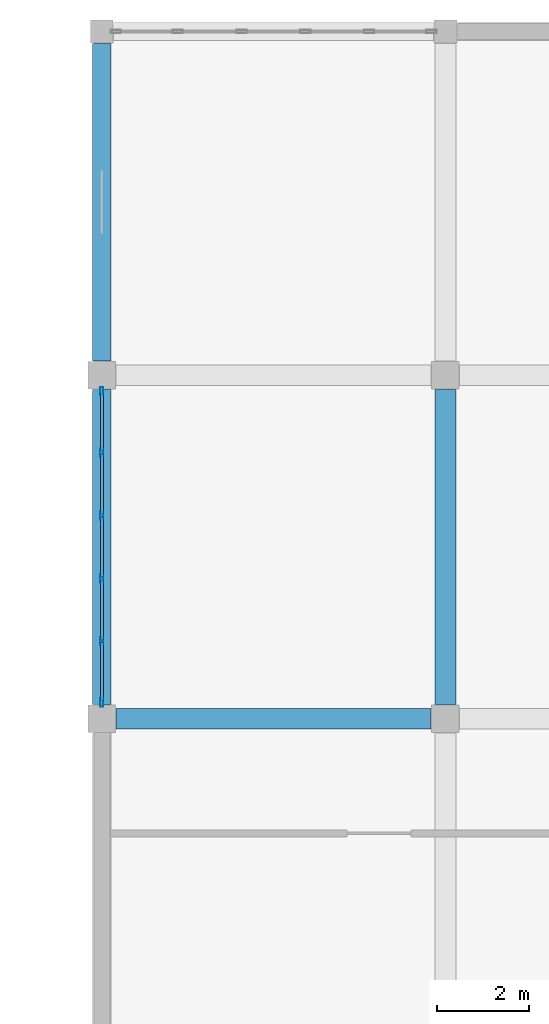
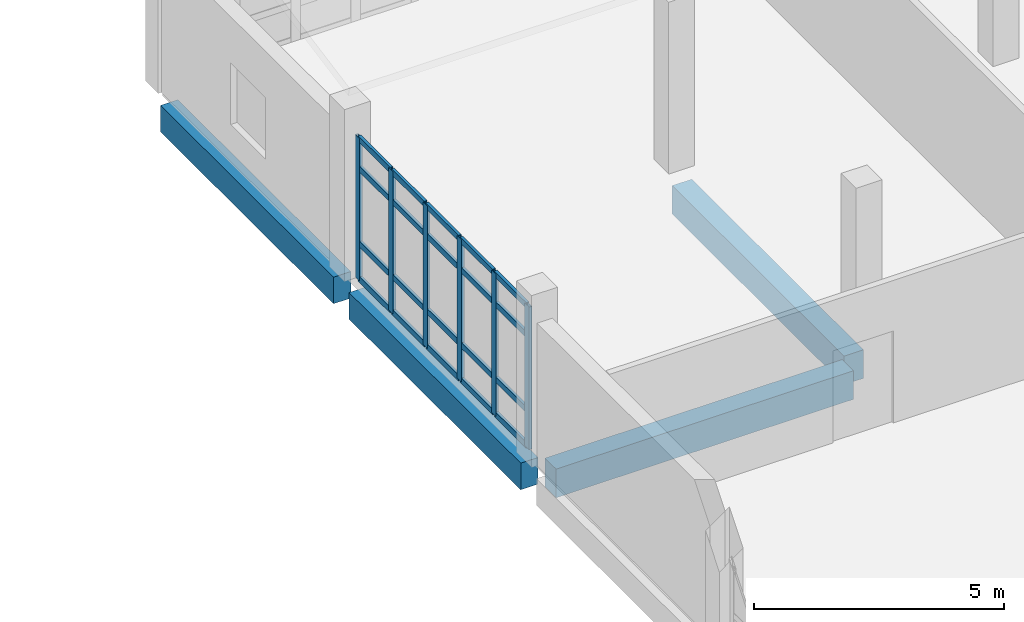
# One storey, part 77 of 164: 26 members, 4 beams, 1 element without a shape of its own.
"""IFC4 building model written with IfcOpenShell, lengths in metres."""

import ifcopenshell
import ifcopenshell.guid

model = None  # the IFC model being written
_history = None  # IfcOwnerHistory: only IFC2X3 demands one
_inside = {}  # id of a spatial element -> (the spatial element, [elements in it])
_under = {}  # id of a project, library or spatial element -> (it, [spatial elements below it])
_declared = {}  # id of a project -> (the project, [libraries it declares])
_typed = {}  # id of a type object -> (the type object, [elements of that type])
_made_of = {}  # id of a material, layer set ... -> (it, [elements and type objects made of it])


def new_model(schema):
    """Start an empty IFC model of exactly this schema.

    Asked for "IFC4X3", IfcOpenShell would pick the latest addendum, in which some entities
    have other attributes; the version numbers below select the first issue.
    IFC2X3 requires an IfcOwnerHistory on every rooted entity: one is made here for all.
    """
    global model, _history
    if schema == "IFC4X3":
        model = ifcopenshell.file(schema_version=(4, 3, 0, 0))
    else:
        model = ifcopenshell.file(schema=schema)
    _inside.clear()
    _under.clear()
    _declared.clear()
    _typed.clear()
    _made_of.clear()
    _history = None
    if model.schema == "IFC2X3":
        org = make("IfcOrganization", Name="unknown")
        user = make(
            "IfcPersonAndOrganization",
            ThePerson=make("IfcPerson", FamilyName="unknown"),
            TheOrganization=org,
        )
        app = make(
            "IfcApplication",
            ApplicationDeveloper=org,
            Version="unknown",
            ApplicationFullName="unknown",
            ApplicationIdentifier="unknown",
        )
        _history = make(
            "IfcOwnerHistory",
            OwningUser=user,
            OwningApplication=app,
            ChangeAction="ADDED",
            CreationDate=0,
        )
    return model


def make(cls, **values):
    """One entity of the class cls with the attributes given. An attribute that is None is left unset."""
    return model.create_entity(
        cls, **{name: value for name, value in values.items() if value is not None}
    )


def rooted(cls, **values):
    """An entity with a GlobalId (a new one), such as an element, a storey or a relation."""
    return make(cls, GlobalId=ifcopenshell.guid.new(), OwnerHistory=_history, **values)


def si_unit(unit_type, name, prefix=None):
    """IfcSIUnit, for example si_unit("LENGTHUNIT", "METRE", prefix="MILLI")."""
    return make("IfcSIUnit", UnitType=unit_type, Prefix=prefix, Name=name)


def assignment(units):
    """IfcUnitAssignment: the units of a project."""
    return None if units is None else make("IfcUnitAssignment", Units=units)


def point(xyz):
    """IfcCartesianPoint."""
    return None if xyz is None else make("IfcCartesianPoint", Coordinates=xyz)


def direction(xyz):
    """IfcDirection."""
    return None if xyz is None else make("IfcDirection", DirectionRatios=xyz)


def frame(location, z_axis=None, x_axis=None):
    """IfcAxis2Placement3D, a coordinate frame: its origin and axes. An axis left out is left unset."""
    return make(
        "IfcAxis2Placement3D",
        Location=point(location),
        Axis=direction(z_axis),
        RefDirection=direction(x_axis),
    )


def frame_2d(location, x_axis=None):
    """IfcAxis2Placement2D, a coordinate frame in the plane: its origin and x axis."""
    return make(
        "IfcAxis2Placement2D", Location=point(location), RefDirection=direction(x_axis)
    )


def origin():
    """The frame at (0, 0, 0) with its axes left unset."""
    return frame((0.0, 0.0, 0.0))


def origin_2d():
    """The frame at (0, 0) in the plane with its x axis left unset."""
    return frame_2d((0.0, 0.0))


def place(relative_to, where):
    """IfcLocalPlacement: puts the frame where relative to a parent placement (None: the world)."""
    return make(
        "IfcLocalPlacement", PlacementRelTo=relative_to, RelativePlacement=where
    )


def context(
    kind, dimensions, precision=None, world=None, true_north=None, identifier=None
):
    """IfcGeometricRepresentationContext, for example the 3D "Model" context."""
    return make(
        "IfcGeometricRepresentationContext",
        ContextIdentifier=identifier,
        ContextType=kind,
        CoordinateSpaceDimension=dimensions,
        Precision=precision,
        WorldCoordinateSystem=world,
        TrueNorth=true_north,
    )


def subcontext(parent, identifier, kind, view, scale=None):
    """IfcGeometricRepresentationSubContext, for example "Body" below "Model"."""
    return make(
        "IfcGeometricRepresentationSubContext",
        ContextIdentifier=identifier,
        ContextType=kind,
        ParentContext=parent,
        TargetScale=scale,
        TargetView=view,
    )


def project(units=None, contexts=None):
    """IfcProject with its units and contexts."""
    return rooted(
        "IfcProject",
        Name="project",
        RepresentationContexts=contexts,
        UnitsInContext=assignment(units),
    )


def spatial(cls, under=None, at=None, **own):
    """A site, building, storey or space (cls), placed at a placement, below another one or the project."""
    s = rooted(cls, ObjectPlacement=at, **own)
    if under is not None:
        _under.setdefault(under.id(), (under, []))[1].append(s)
    return s


def profile(cls, at=None, kind="AREA", **sizes):
    """A parametric profile (cls). Its sizes go by their IFC names, for example OverallWidth=200.0."""
    return make(cls, ProfileType=kind, Position=at, **sizes)


def rectangle(**sizes):
    """IfcRectangleProfileDef."""
    return profile("IfcRectangleProfileDef", **sizes)


def hollow_rectangle(**sizes):
    """IfcRectangleHollowProfileDef."""
    return profile("IfcRectangleHollowProfileDef", **sizes)


def extrude(swept, where, along, depth):
    """IfcExtrudedAreaSolid: the profile swept, set in the frame where, extruded along a direction by depth."""
    return make(
        "IfcExtrudedAreaSolid",
        SweptArea=swept,
        Position=where,
        ExtrudedDirection=direction(along),
        Depth=depth,
    )


def shape(context_of_items, identifier, shape_type, items):
    """IfcShapeRepresentation: the items that make up one representation, for example the "Body"."""
    return make(
        "IfcShapeRepresentation",
        ContextOfItems=context_of_items,
        RepresentationIdentifier=identifier,
        RepresentationType=shape_type,
        Items=items,
    )


def material(Name=None, Category=None):
    """IfcMaterial."""
    return make("IfcMaterial", Name=Name, Category=Category)


def layer(
    of_material, thickness, ventilated=None, Name=None, Category=None, Priority=None
):
    """IfcMaterialLayer: one layer of a wall or slab, of a material (None: an air gap)."""
    return make(
        "IfcMaterialLayer",
        Material=of_material,
        LayerThickness=thickness,
        IsVentilated=ventilated,
        Name=Name,
        Category=Category,
        Priority=Priority,
    )


def layer_set(layers, Name=None):
    """IfcMaterialLayerSet."""
    return make("IfcMaterialLayerSet", MaterialLayers=layers, LayerSetName=Name)


def material_profile(
    of_material, cross_section, Name=None, Category=None, Priority=None
):
    """IfcMaterialProfile: a cross section and its material."""
    return make(
        "IfcMaterialProfile",
        Name=Name,
        Material=of_material,
        Profile=cross_section,
        Priority=Priority,
        Category=Category,
    )


def profile_set(profiles, Name=None, composite=None):
    """IfcMaterialProfileSet."""
    return make(
        "IfcMaterialProfileSet",
        Name=Name,
        MaterialProfiles=profiles,
        CompositeProfile=composite,
    )


def made_of(thing, what):
    """Note that an element or type object is made of a material, layer set ...; save() writes the relation."""
    if what is not None:
        _made_of.setdefault(what.id(), (what, []))[1].append(thing)
    return thing


def type_object(cls, material=None, **own):
    """A type object (cls), such as IfcWallType, which elements share."""
    return made_of(rooted(cls, **own), material)


def element(
    cls,
    number,
    at=None,
    inside=None,
    cuts=None,
    type_object=None,
    material=None,
    context=None,
    identifier="Body",
    shape_type=None,
    held_by="IfcProductDefinitionShape",
    body=None,
    shapes=None,
    **own,
):
    """One element of the class cls, such as IfcWall. Its Tag is "e" and its number.

    at: its placement. inside: the storey or other place that contains it. cuts: it is an
    opening in that element (IfcRelVoidsElement). A single representation is given by context,
    identifier, shape_type and body (its items); several are given by shapes. held_by: the class
    of the entity that holds the representations. save() writes the other relations.
    """
    e = rooted(cls, Tag="e%d" % number, ObjectPlacement=at, **own)
    if body is not None:
        shapes = [shape(context, identifier, shape_type, body)]
    if shapes is not None:
        e.Representation = make(held_by, Representations=shapes)
    if inside is not None:
        _inside.setdefault(inside.id(), (inside, []))[1].append(e)
    if cuts is not None:
        rooted(
            "IfcRelVoidsElement", RelatingBuildingElement=cuts, RelatedOpeningElement=e
        )
    if type_object is not None:
        _typed.setdefault(type_object.id(), (type_object, []))[1].append(e)
    return made_of(e, material)


def aggregate(whole, parts):
    """IfcRelAggregates: a whole, such as a stair, and the parts it consists of."""
    return rooted("IfcRelAggregates", RelatingObject=whole, RelatedObjects=parts)


def save(model, path):
    """Write the relations noted so far, then the file.

    IfcRelAggregates (storeys below a building ...), IfcRelContainedInSpatialStructure (elements
    in a storey), IfcRelDefinesByType, IfcRelAssociatesMaterial and IfcRelDeclares: one each for
    every whole, place, type object, material and project.
    """
    for whole, parts in _under.values():
        aggregate(whole, parts)
    for where, things in _inside.values():
        rooted(
            "IfcRelContainedInSpatialStructure",
            RelatedElements=things,
            RelatingStructure=where,
        )
    for kind, things in _typed.values():
        rooted("IfcRelDefinesByType", RelatedObjects=things, RelatingType=kind)
    for what, things in _made_of.values():
        rooted("IfcRelAssociatesMaterial", RelatedObjects=things, RelatingMaterial=what)
    for by, libraries in _declared.values():
        rooted("IfcRelDeclares", RelatingContext=by, RelatedDefinitions=libraries)
    model.write(path)


model = new_model("IFC4")

# Units and contexts
model_context = context("Model", 3, precision=1e-05, world=origin(), true_north=direction((0.0, 1.0)))
body_context = subcontext(model_context, "Body", "Model", "MODEL_VIEW")
ifc_project = project(units=[si_unit("LENGTHUNIT", "METRE"), si_unit("AREAUNIT", "SQUARE_METRE"), si_unit("VOLUMEUNIT", "CUBIC_METRE"), si_unit("PLANEANGLEUNIT", "RADIAN"), si_unit("MASSUNIT", "GRAM", prefix="KILO")], contexts=[model_context])

# Site, building, storey
site_placement = place(None, origin())
site = spatial("IfcSite", under=ifc_project, at=site_placement, CompositionType="ELEMENT")
building_placement = place(site_placement, origin())
building = spatial("IfcBuilding", under=site, at=building_placement, Name="Mawjan Specialist Oncology Clinic", CompositionType="ELEMENT")
storey_placement = place(building_placement, frame((0.0, 0.0, 5.0)))
storey = spatial("IfcBuildingStorey", under=building, at=storey_placement, Name="L01", CompositionType="ELEMENT", Elevation=5.0)

# Beams
ifc_material_1 = material(Name="Concrete C40/50", Category="concrete")
ifc_material_profile_1 = material_profile(ifc_material_1, rectangle(XDim=0.449951171875, YDim=0.699951171875, at=origin_2d()), Name="RC BM 450x700", Category="concrete")
ifc_profile_set_1 = profile_set([ifc_material_profile_1], Name="Concrete C40/50")
beam_type_1 = type_object("IfcBeamType", Name="BM-450x700", PredefinedType="BEAM", material=ifc_profile_set_1)
for number, where, z_axis, x_axis, name in (
    (1, (45.31005859375, 98.300048828125, -0.64990234375), (1.0, 0.0, 0.0), (0.0, 1.0, 0.0), "L01 Collector Beam BM-L01-0375"),
    (2, (52.5, 98.610107421875, -0.64990234375), (0.0, 1.0, 0.0), (-1.0, 0.0, 0.0), "L01 Collector Beam BM-L01-0486"),
):
    element("IfcBeam", number, at=place(storey_placement, frame(where, z_axis=z_axis, x_axis=x_axis)), inside=storey, type_object=beam_type_1, Name=name, PredefinedType="BEAM", context=body_context, shape_type="SweptSolid", body=[
        extrude(rectangle(XDim=0.449951171875, YDim=0.699951171875, at=origin_2d()), origin(), (0.0, 0.0, 1.0), 6.8798828125),
    ])

# Curtain wall, members
ifc_material_2 = material(Name="Unitised spectrally selective aluminium curtain wall", Category="aluminium")
ifc_layer = layer(ifc_material_2, 0.179931640625, Name="Unitised spectrally selective aluminium curtain wall", Category="aluminium")
ifc_layer_set = layer_set([ifc_layer], Name="Unitised spectrally selective aluminium curtain wall")
curtain_wall_type = type_object("IfcCurtainWallType", Name="CW-60", PredefinedType="NOTDEFINED", material=ifc_layer_set)
curtain_wall_placement = place(storey_placement, origin())
curtain_wall = element("IfcCurtainWall", 3, at=curtain_wall_placement, inside=storey, type_object=curtain_wall_type, Name="L01 Unitised Curtain Wall CW-L01-117", PredefinedType="NOTDEFINED")
ifc_material_3 = material(Name="Thermally broken aluminium 6063-T6", Category="aluminium")
ifc_material_profile_2 = material_profile(ifc_material_3, hollow_rectangle(XDim=0.06494140625, YDim=0.179931640625, WallThickness=0.00390625, at=origin_2d()), Name="ALU MULLION 180x65x4", Category="aluminium")
ifc_profile_set_2 = profile_set([ifc_material_profile_2], Name="Thermally broken aluminium 6063-T6")
member_type_1 = type_object("IfcMemberType", Name="CW-M180", PredefinedType="MULLION", material=ifc_profile_set_2)
member_1_placement = place(storey_placement, frame((45.0, 98.652587890625, 0.0), z_axis=(0.0, 0.0, 1.0), x_axis=(-1.0, 0.0, 0.0)))
member_1 = element("IfcMember", 4, at=member_1_placement, type_object=member_type_1, Name="CW-60 mullion 1", PredefinedType="MULLION", context=body_context, shape_type="SweptSolid", body=[
    extrude(hollow_rectangle(XDim=0.06494140625, YDim=0.179931640625, WallThickness=0.00390625, at=origin_2d()), origin(), (0.0, 0.0, 1.0), 3.485107421875),
])
member_2_placement = place(storey_placement, frame((45.0, 99.991943359375, 0.0), z_axis=(0.0, 0.0, 1.0), x_axis=(-1.0, 0.0, 0.0)))
member_2 = element("IfcMember", 5, at=member_2_placement, type_object=member_type_1, Name="CW-60 mullion 2", PredefinedType="MULLION", context=body_context, shape_type="SweptSolid", body=[
    extrude(hollow_rectangle(XDim=0.06494140625, YDim=0.179931640625, WallThickness=0.00390625, at=origin_2d()), origin(), (0.0, 0.0, 1.0), 3.485107421875),
])
member_3_placement = place(storey_placement, frame((45.0, 101.364013671875, 0.0), z_axis=(0.0, 0.0, 1.0), x_axis=(-1.0, 0.0, 0.0)))
member_3 = element("IfcMember", 6, at=member_3_placement, type_object=member_type_1, Name="CW-60 mullion 3", PredefinedType="MULLION", context=body_context, shape_type="SweptSolid", body=[
    extrude(hollow_rectangle(XDim=0.06494140625, YDim=0.179931640625, WallThickness=0.00390625, at=origin_2d()), origin(), (0.0, 0.0, 1.0), 3.485107421875),
])
member_4_placement = place(storey_placement, frame((45.0, 102.736083984375, 0.0), z_axis=(0.0, 0.0, 1.0), x_axis=(-1.0, 0.0, 0.0)))
member_4 = element("IfcMember", 7, at=member_4_placement, type_object=member_type_1, Name="CW-60 mullion 4", PredefinedType="MULLION", context=body_context, shape_type="SweptSolid", body=[
    extrude(hollow_rectangle(XDim=0.06494140625, YDim=0.179931640625, WallThickness=0.00390625, at=origin_2d()), origin(), (0.0, 0.0, 1.0), 3.485107421875),
])
member_5_placement = place(storey_placement, frame((45.0, 104.10791015625, 0.0), z_axis=(0.0, 0.0, 1.0), x_axis=(-1.0, 0.0, 0.0)))
member_5 = element("IfcMember", 8, at=member_5_placement, type_object=member_type_1, Name="CW-60 mullion 5", PredefinedType="MULLION", context=body_context, shape_type="SweptSolid", body=[
    extrude(hollow_rectangle(XDim=0.06494140625, YDim=0.179931640625, WallThickness=0.00390625, at=origin_2d()), origin(), (0.0, 0.0, 1.0), 3.485107421875),
])
member_6_placement = place(storey_placement, frame((45.0, 105.447509765625, 0.0), z_axis=(0.0, 0.0, 1.0), x_axis=(-1.0, 0.0, 0.0)))
member_6 = element("IfcMember", 9, at=member_6_placement, type_object=member_type_1, Name="CW-60 mullion 6", PredefinedType="MULLION", context=body_context, shape_type="SweptSolid", body=[
    extrude(hollow_rectangle(XDim=0.06494140625, YDim=0.179931640625, WallThickness=0.00390625, at=origin_2d()), origin(), (0.0, 0.0, 1.0), 3.485107421875),
])
ifc_material_4 = material(Name="Thermally broken aluminium 6063-T6", Category="aluminium")
ifc_material_profile_3 = material_profile(ifc_material_4, hollow_rectangle(XDim=0.06494140625, YDim=0.139892578125, WallThickness=0.00390625, at=origin_2d()), Name="ALU TRANSOM 140x65x4", Category="aluminium")
ifc_profile_set_3 = profile_set([ifc_material_profile_3], Name="Thermally broken aluminium 6063-T6")
member_type_2 = type_object("IfcMemberType", Name="CW-T140", PredefinedType="USERDEFINED", material=ifc_profile_set_3)
member_7_placement = place(storey_placement, frame((45.0, 98.68505859375, 0.032470703125), z_axis=(0.0, 1.0, 0.0), x_axis=(-1.0, 0.0, 0.0)))
member_7 = element("IfcMember", 10, at=member_7_placement, type_object=member_type_2, Name="CW-60 transom 1.1", ObjectType="TRANSOM", PredefinedType="USERDEFINED", context=body_context, shape_type="SweptSolid", body=[
    extrude(hollow_rectangle(XDim=0.06494140625, YDim=0.139892578125, WallThickness=0.00390625, at=origin_2d()), origin(), (0.0, 0.0, 1.0), 1.2744140625),
])
member_8_placement = place(storey_placement, frame((45.0, 98.68505859375, 0.89990234375), z_axis=(0.0, 1.0, 0.0), x_axis=(-1.0, 0.0, 0.0)))
member_8 = element("IfcMember", 11, at=member_8_placement, type_object=member_type_2, Name="CW-60 transom 1.2", ObjectType="TRANSOM", PredefinedType="USERDEFINED", context=body_context, shape_type="SweptSolid", body=[
    extrude(hollow_rectangle(XDim=0.06494140625, YDim=0.139892578125, WallThickness=0.00390625, at=origin_2d()), origin(), (0.0, 0.0, 1.0), 1.2744140625),
])
member_9_placement = place(storey_placement, frame((45.0, 98.68505859375, 2.735107421875), z_axis=(0.0, 1.0, 0.0), x_axis=(-1.0, 0.0, 0.0)))
member_9 = element("IfcMember", 12, at=member_9_placement, type_object=member_type_2, Name="CW-60 transom 1.3", ObjectType="TRANSOM", PredefinedType="USERDEFINED", context=body_context, shape_type="SweptSolid", body=[
    extrude(hollow_rectangle(XDim=0.06494140625, YDim=0.139892578125, WallThickness=0.00390625, at=origin_2d()), origin(), (0.0, 0.0, 1.0), 1.2744140625),
])
member_10_placement = place(storey_placement, frame((45.0, 98.68505859375, 3.452392578125), z_axis=(0.0, 1.0, 0.0), x_axis=(-1.0, 0.0, 0.0)))
member_10 = element("IfcMember", 13, at=member_10_placement, type_object=member_type_2, Name="CW-60 transom 1.4", ObjectType="TRANSOM", PredefinedType="USERDEFINED", context=body_context, shape_type="SweptSolid", body=[
    extrude(hollow_rectangle(XDim=0.06494140625, YDim=0.139892578125, WallThickness=0.00390625, at=origin_2d()), origin(), (0.0, 0.0, 1.0), 1.2744140625),
])
member_11_placement = place(storey_placement, frame((45.0, 100.0244140625, 0.032470703125), z_axis=(0.0, 1.0, 0.0), x_axis=(-1.0, 0.0, 0.0)))
member_11 = element("IfcMember", 14, at=member_11_placement, type_object=member_type_2, Name="CW-60 transom 2.1", ObjectType="TRANSOM", PredefinedType="USERDEFINED", context=body_context, shape_type="SweptSolid", body=[
    extrude(hollow_rectangle(XDim=0.06494140625, YDim=0.139892578125, WallThickness=0.00390625, at=origin_2d()), origin(), (0.0, 0.0, 1.0), 1.30712890625),
])
member_12_placement = place(storey_placement, frame((45.0, 100.0244140625, 0.89990234375), z_axis=(0.0, 1.0, 0.0), x_axis=(-1.0, 0.0, 0.0)))
member_12 = element("IfcMember", 15, at=member_12_placement, type_object=member_type_2, Name="CW-60 transom 2.2", ObjectType="TRANSOM", PredefinedType="USERDEFINED", context=body_context, shape_type="SweptSolid", body=[
    extrude(hollow_rectangle(XDim=0.06494140625, YDim=0.139892578125, WallThickness=0.00390625, at=origin_2d()), origin(), (0.0, 0.0, 1.0), 1.30712890625),
])
member_13_placement = place(storey_placement, frame((45.0, 100.0244140625, 2.735107421875), z_axis=(0.0, 1.0, 0.0), x_axis=(-1.0, 0.0, 0.0)))
member_13 = element("IfcMember", 16, at=member_13_placement, type_object=member_type_2, Name="CW-60 transom 2.3", ObjectType="TRANSOM", PredefinedType="USERDEFINED", context=body_context, shape_type="SweptSolid", body=[
    extrude(hollow_rectangle(XDim=0.06494140625, YDim=0.139892578125, WallThickness=0.00390625, at=origin_2d()), origin(), (0.0, 0.0, 1.0), 1.30712890625),
])
member_14_placement = place(storey_placement, frame((45.0, 100.0244140625, 3.452392578125), z_axis=(0.0, 1.0, 0.0), x_axis=(-1.0, 0.0, 0.0)))
member_14 = element("IfcMember", 17, at=member_14_placement, type_object=member_type_2, Name="CW-60 transom 2.4", ObjectType="TRANSOM", PredefinedType="USERDEFINED", context=body_context, shape_type="SweptSolid", body=[
    extrude(hollow_rectangle(XDim=0.06494140625, YDim=0.139892578125, WallThickness=0.00390625, at=origin_2d()), origin(), (0.0, 0.0, 1.0), 1.30712890625),
])
member_15_placement = place(storey_placement, frame((45.0, 101.396484375, 0.032470703125), z_axis=(0.0, 1.0, 0.0), x_axis=(-1.0, 0.0, 0.0)))
member_15 = element("IfcMember", 18, at=member_15_placement, type_object=member_type_2, Name="CW-60 transom 3.1", ObjectType="TRANSOM", PredefinedType="USERDEFINED", context=body_context, shape_type="SweptSolid", body=[
    extrude(hollow_rectangle(XDim=0.06494140625, YDim=0.139892578125, WallThickness=0.00390625, at=origin_2d()), origin(), (0.0, 0.0, 1.0), 1.30712890625),
])
member_16_placement = place(storey_placement, frame((45.0, 101.396484375, 0.89990234375), z_axis=(0.0, 1.0, 0.0), x_axis=(-1.0, 0.0, 0.0)))
member_16 = element("IfcMember", 19, at=member_16_placement, type_object=member_type_2, Name="CW-60 transom 3.2", ObjectType="TRANSOM", PredefinedType="USERDEFINED", context=body_context, shape_type="SweptSolid", body=[
    extrude(hollow_rectangle(XDim=0.06494140625, YDim=0.139892578125, WallThickness=0.00390625, at=origin_2d()), origin(), (0.0, 0.0, 1.0), 1.30712890625),
])
member_17_placement = place(storey_placement, frame((45.0, 101.396484375, 2.735107421875), z_axis=(0.0, 1.0, 0.0), x_axis=(-1.0, 0.0, 0.0)))
member_17 = element("IfcMember", 20, at=member_17_placement, type_object=member_type_2, Name="CW-60 transom 3.3", ObjectType="TRANSOM", PredefinedType="USERDEFINED", context=body_context, shape_type="SweptSolid", body=[
    extrude(hollow_rectangle(XDim=0.06494140625, YDim=0.139892578125, WallThickness=0.00390625, at=origin_2d()), origin(), (0.0, 0.0, 1.0), 1.30712890625),
])
member_18_placement = place(storey_placement, frame((45.0, 101.396484375, 3.452392578125), z_axis=(0.0, 1.0, 0.0), x_axis=(-1.0, 0.0, 0.0)))
member_18 = element("IfcMember", 21, at=member_18_placement, type_object=member_type_2, Name="CW-60 transom 3.4", ObjectType="TRANSOM", PredefinedType="USERDEFINED", context=body_context, shape_type="SweptSolid", body=[
    extrude(hollow_rectangle(XDim=0.06494140625, YDim=0.139892578125, WallThickness=0.00390625, at=origin_2d()), origin(), (0.0, 0.0, 1.0), 1.30712890625),
])
member_19_placement = place(storey_placement, frame((45.0, 102.7685546875, 0.032470703125), z_axis=(0.0, 1.0, 0.0), x_axis=(-1.0, 0.0, 0.0)))
member_19 = element("IfcMember", 22, at=member_19_placement, type_object=member_type_2, Name="CW-60 transom 4.1", ObjectType="TRANSOM", PredefinedType="USERDEFINED", context=body_context, shape_type="SweptSolid", body=[
    extrude(hollow_rectangle(XDim=0.06494140625, YDim=0.139892578125, WallThickness=0.00390625, at=origin_2d()), origin(), (0.0, 0.0, 1.0), 1.306884765625),
])
member_20_placement = place(storey_placement, frame((45.0, 102.7685546875, 0.89990234375), z_axis=(0.0, 1.0, 0.0), x_axis=(-1.0, 0.0, 0.0)))
member_20 = element("IfcMember", 23, at=member_20_placement, type_object=member_type_2, Name="CW-60 transom 4.2", ObjectType="TRANSOM", PredefinedType="USERDEFINED", context=body_context, shape_type="SweptSolid", body=[
    extrude(hollow_rectangle(XDim=0.06494140625, YDim=0.139892578125, WallThickness=0.00390625, at=origin_2d()), origin(), (0.0, 0.0, 1.0), 1.306884765625),
])
member_21_placement = place(storey_placement, frame((45.0, 102.7685546875, 2.735107421875), z_axis=(0.0, 1.0, 0.0), x_axis=(-1.0, 0.0, 0.0)))
member_21 = element("IfcMember", 24, at=member_21_placement, type_object=member_type_2, Name="CW-60 transom 4.3", ObjectType="TRANSOM", PredefinedType="USERDEFINED", context=body_context, shape_type="SweptSolid", body=[
    extrude(hollow_rectangle(XDim=0.06494140625, YDim=0.139892578125, WallThickness=0.00390625, at=origin_2d()), origin(), (0.0, 0.0, 1.0), 1.306884765625),
])
member_22_placement = place(storey_placement, frame((45.0, 102.7685546875, 3.452392578125), z_axis=(0.0, 1.0, 0.0), x_axis=(-1.0, 0.0, 0.0)))
member_22 = element("IfcMember", 25, at=member_22_placement, type_object=member_type_2, Name="CW-60 transom 4.4", ObjectType="TRANSOM", PredefinedType="USERDEFINED", context=body_context, shape_type="SweptSolid", body=[
    extrude(hollow_rectangle(XDim=0.06494140625, YDim=0.139892578125, WallThickness=0.00390625, at=origin_2d()), origin(), (0.0, 0.0, 1.0), 1.306884765625),
])
member_23_placement = place(storey_placement, frame((45.0, 104.140380859375, 0.032470703125), z_axis=(0.0, 1.0, 0.0), x_axis=(-1.0, 0.0, 0.0)))
member_23 = element("IfcMember", 26, at=member_23_placement, type_object=member_type_2, Name="CW-60 transom 5.1", ObjectType="TRANSOM", PredefinedType="USERDEFINED", context=body_context, shape_type="SweptSolid", body=[
    extrude(hollow_rectangle(XDim=0.06494140625, YDim=0.139892578125, WallThickness=0.00390625, at=origin_2d()), origin(), (0.0, 0.0, 1.0), 1.274658203125),
])
member_24_placement = place(storey_placement, frame((45.0, 104.140380859375, 0.89990234375), z_axis=(0.0, 1.0, 0.0), x_axis=(-1.0, 0.0, 0.0)))
member_24 = element("IfcMember", 27, at=member_24_placement, type_object=member_type_2, Name="CW-60 transom 5.2", ObjectType="TRANSOM", PredefinedType="USERDEFINED", context=body_context, shape_type="SweptSolid", body=[
    extrude(hollow_rectangle(XDim=0.06494140625, YDim=0.139892578125, WallThickness=0.00390625, at=origin_2d()), origin(), (0.0, 0.0, 1.0), 1.274658203125),
])
member_25_placement = place(storey_placement, frame((45.0, 104.140380859375, 2.735107421875), z_axis=(0.0, 1.0, 0.0), x_axis=(-1.0, 0.0, 0.0)))
member_25 = element("IfcMember", 28, at=member_25_placement, type_object=member_type_2, Name="CW-60 transom 5.3", ObjectType="TRANSOM", PredefinedType="USERDEFINED", context=body_context, shape_type="SweptSolid", body=[
    extrude(hollow_rectangle(XDim=0.06494140625, YDim=0.139892578125, WallThickness=0.00390625, at=origin_2d()), origin(), (0.0, 0.0, 1.0), 1.274658203125),
])
member_26_placement = place(storey_placement, frame((45.0, 104.140380859375, 3.452392578125), z_axis=(0.0, 1.0, 0.0), x_axis=(-1.0, 0.0, 0.0)))
member_26 = element("IfcMember", 29, at=member_26_placement, type_object=member_type_2, Name="CW-60 transom 5.4", ObjectType="TRANSOM", PredefinedType="USERDEFINED", context=body_context, shape_type="SweptSolid", body=[
    extrude(hollow_rectangle(XDim=0.06494140625, YDim=0.139892578125, WallThickness=0.00390625, at=origin_2d()), origin(), (0.0, 0.0, 1.0), 1.274658203125),
])
aggregate(curtain_wall, [member_1, member_2, member_3, member_4, member_5, member_6, member_7, member_8, member_9, member_10, member_11, member_12, member_13, member_14, member_15, member_16, member_17, member_18, member_19, member_20, member_21, member_22, member_23, member_24, member_25, member_26])

# Beams
ifc_material_5 = material(Name="Concrete C45/55", Category="concrete")
ifc_material_profile_4 = material_profile(ifc_material_5, rectangle(XDim=0.39990234375, YDim=0.64990234375, at=origin_2d()), Name="RC BM 400x650", Category="concrete")
ifc_profile_set_4 = profile_set([ifc_material_profile_4], Name="Concrete C45/55")
beam_type_2 = type_object("IfcBeamType", Name="SP-400x650", PredefinedType="SPANDREL", material=ifc_profile_set_4)
beam_1_placement = place(storey_placement, frame((45.0, 98.610107421875, -0.625), z_axis=(0.0, 1.0, 0.0), x_axis=(-1.0, 0.0, 0.0)))
element("IfcBeam", 30, at=beam_1_placement, inside=storey, type_object=beam_type_2, Name="L01 Spandrel Beam BM-L01-0481", PredefinedType="SPANDREL", context=body_context, shape_type="SweptSolid", body=[
    extrude(rectangle(XDim=0.39990234375, YDim=0.64990234375, at=origin_2d()), origin(), (0.0, 0.0, 1.0), 6.8798828125),
])
beam_2_placement = place(storey_placement, frame((45.0, 106.110107421875, -0.625), z_axis=(0.0, 1.0, 0.0), x_axis=(-1.0, 0.0, 0.0)))
element("IfcBeam", 31, at=beam_2_placement, inside=storey, type_object=beam_type_2, Name="L01 Spandrel Beam BM-L01-0482", PredefinedType="SPANDREL", context=body_context, shape_type="SweptSolid", body=[
    extrude(rectangle(XDim=0.39990234375, YDim=0.64990234375, at=origin_2d()), origin(), (0.0, 0.0, 1.0), 6.929931640625),
])

save(model, "model.ifc")
